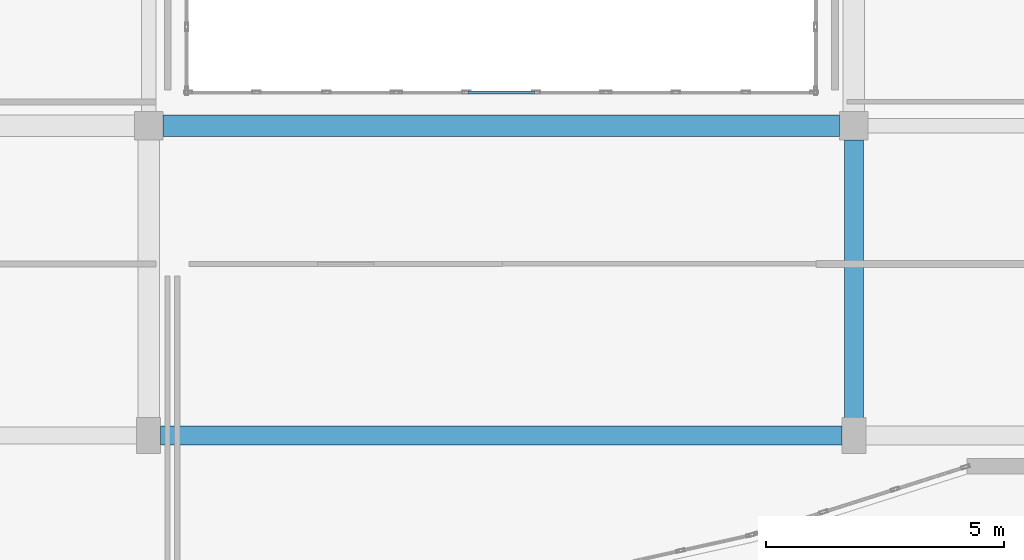
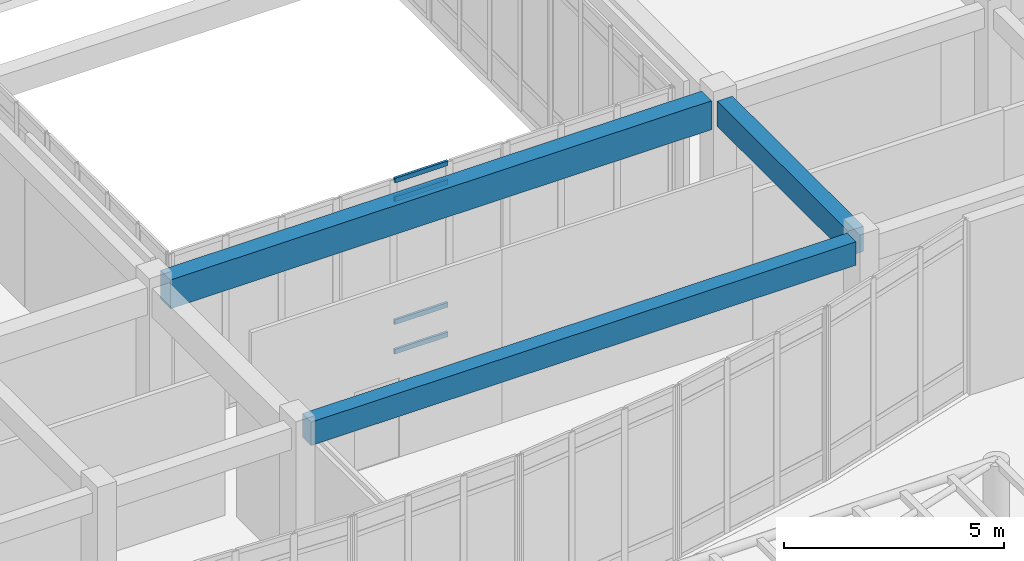
# One storey, part 60 of 121: 4 members, 3 beams, 1 element without a shape of its own.
"""IFC4 building model written with IfcOpenShell, lengths in metres."""

from ifc_helpers import new_model, si_unit, direction, frame, origin, origin_2d, place, context, subcontext, project, spatial, rectangle, hollow_rectangle, extrude, material, layer, layer_set, material_profile, profile_set, type_object, element, aggregate, save


model = new_model("IFC4")

# Units and contexts
model_context = context("Model", 3, precision=1e-05, world=origin(), true_north=direction((0.0, 1.0)))
body_context = subcontext(model_context, "Body", "Model", "MODEL_VIEW")
ifc_project = project(units=[si_unit("LENGTHUNIT", "METRE"), si_unit("AREAUNIT", "SQUARE_METRE"), si_unit("VOLUMEUNIT", "CUBIC_METRE"), si_unit("PLANEANGLEUNIT", "RADIAN"), si_unit("MASSUNIT", "GRAM", prefix="KILO")], contexts=[model_context])

# Site, building, storey
site_placement = place(None, origin())
site = spatial("IfcSite", under=ifc_project, at=site_placement, CompositionType="ELEMENT")
building_placement = place(site_placement, origin())
building = spatial("IfcBuilding", under=site, at=building_placement, Name="Valcora Specialist Clinic", CompositionType="ELEMENT")
storey_placement = place(building_placement, origin())
storey = spatial("IfcBuildingStorey", under=building, at=storey_placement, Name="L00", CompositionType="ELEMENT", Elevation=0.0)

# Beams
ifc_material_1 = material(Name="Concrete C40/50", Category="concrete")
ifc_material_profile_1 = material_profile(ifc_material_1, rectangle(XDim=0.39990234375, YDim=0.64990234375, at=origin_2d()), Name="RC-BM-400X650")
ifc_profile_set_1 = profile_set([ifc_material_profile_1], Name="Concrete C40/50")
beam_type_1 = type_object("IfcBeamType", Name="TY-BM-RC400X650", PredefinedType="BEAM", material=ifc_profile_set_1)
beam_1_placement = place(storey_placement, frame((111.449951171875, 74.800048828125, 4.485107421875), z_axis=(1.0, 0.0, 0.0), x_axis=(0.0, 1.0, 0.0)))
element("IfcBeam", 1, at=beam_1_placement, inside=storey, type_object=beam_type_1, Name="Beam BM-L00-0537", PredefinedType="BEAM", context=body_context, shape_type="SweptSolid", body=[
    extrude(rectangle(XDim=0.39990234375, YDim=0.64990234375, at=origin_2d()), origin(), (0.0, 0.0, 1.0), 14.300048828125),
])
ifc_material_profile_2 = material_profile(ifc_material_1, rectangle(XDim=0.39990234375, YDim=0.699951171875, at=origin_2d()), Name="RC-BM-400X700")
ifc_profile_set_2 = profile_set([ifc_material_profile_2], Name="Concrete C40/50")
beam_type_2 = type_object("IfcBeamType", Name="TY-BM-RC400X700", PredefinedType="BEAM", material=ifc_profile_set_2)
beam_2_placement = place(storey_placement, frame((126.0, 75.050048828125, 4.4599609375), z_axis=(0.0, 1.0, 0.0), x_axis=(-1.0, 0.0, 0.0)))
element("IfcBeam", 2, at=beam_2_placement, inside=storey, type_object=beam_type_2, Name="Beam BM-L00-0602", PredefinedType="BEAM", context=body_context, shape_type="SweptSolid", body=[
    extrude(rectangle(XDim=0.39990234375, YDim=0.699951171875, at=origin_2d()), origin(), (0.0, 0.0, 1.0), 5.949951171875),
])
ifc_material_profile_3 = material_profile(ifc_material_1, rectangle(XDim=0.449951171875, YDim=0.800048828125, at=origin_2d()), Name="RC-BM-450X800")
ifc_profile_set_3 = profile_set([ifc_material_profile_3], Name="Concrete C40/50")
beam_type_3 = type_object("IfcBeamType", Name="TY-BM-RC450X800", PredefinedType="BEAM", material=ifc_profile_set_3)
beam_3_placement = place(storey_placement, frame((111.5, 81.300048828125, 4.409912109375), z_axis=(1.0, 0.0, 0.0), x_axis=(0.0, 1.0, 0.0)))
element("IfcBeam", 3, at=beam_3_placement, inside=storey, type_object=beam_type_3, Name="Beam BM-L00-0546", PredefinedType="BEAM", context=body_context, shape_type="SweptSolid", body=[
    extrude(rectangle(XDim=0.449951171875, YDim=0.800048828125, at=origin_2d()), origin(), (0.0, 0.0, 1.0), 14.199951171875),
])

# Curtain wall, members
ifc_material_2 = material(Name="Anodized Bronze Aluminium 6063-T6", Category="aluminium")
ifc_layer = layer(ifc_material_2, 0.175048828125)
ifc_layer_set = layer_set([ifc_layer], Name="Anodized Bronze Aluminium 6063-T6")
curtain_wall_type = type_object("IfcCurtainWallType", Name="TY-CW-CRT15", PredefinedType="NOTDEFINED", material=ifc_layer_set)
curtain_wall_placement = place(storey_placement, origin())
curtain_wall = element("IfcCurtainWall", 4, at=curtain_wall_placement, inside=storey, type_object=curtain_wall_type, Name="Curtain wall CW-L00-042", PredefinedType="NOTDEFINED")
ifc_material_profile_4 = material_profile(ifc_material_2, hollow_rectangle(XDim=0.06494140625, YDim=0.1298828125, WallThickness=0.00390625, at=origin_2d()), Name="AL-TRN-65X130")
ifc_profile_set_4 = profile_set([ifc_material_profile_4], Name="Anodized Bronze Aluminium 6063-T6")
member_type = type_object("IfcMemberType", Name="TY-CWT-65X130", PredefinedType="USERDEFINED", material=ifc_profile_set_4)
member_1_placement = place(storey_placement, frame((117.899169921875, 82.0, 0.032470703125), z_axis=(1.0, 0.0, 0.0), x_axis=(0.0, 1.0, 0.0)))
member_1 = element("IfcMember", 5, at=member_1_placement, type_object=member_type, Name="CW-CRT-15 transom 2.1", ObjectType="TRANSOM", PredefinedType="USERDEFINED", context=body_context, shape_type="SweptSolid", body=[
    extrude(hollow_rectangle(XDim=0.06494140625, YDim=0.1298828125, WallThickness=0.00390625, at=origin_2d()), origin(), (0.0, 0.0, 1.0), 1.401611328125),
])
member_2_placement = place(storey_placement, frame((117.899169921875, 82.0, 0.85009765625), z_axis=(1.0, 0.0, 0.0), x_axis=(0.0, 1.0, 0.0)))
member_2 = element("IfcMember", 6, at=member_2_placement, type_object=member_type, Name="CW-CRT-15 transom 2.2", ObjectType="TRANSOM", PredefinedType="USERDEFINED", context=body_context, shape_type="SweptSolid", body=[
    extrude(hollow_rectangle(XDim=0.06494140625, YDim=0.1298828125, WallThickness=0.00390625, at=origin_2d()), origin(), (0.0, 0.0, 1.0), 1.401611328125),
])
member_3_placement = place(storey_placement, frame((117.899169921875, 82.0, 4.260009765625), z_axis=(1.0, 0.0, 0.0), x_axis=(0.0, 1.0, 0.0)))
member_3 = element("IfcMember", 7, at=member_3_placement, type_object=member_type, Name="CW-CRT-15 transom 2.3", ObjectType="TRANSOM", PredefinedType="USERDEFINED", context=body_context, shape_type="SweptSolid", body=[
    extrude(hollow_rectangle(XDim=0.06494140625, YDim=0.1298828125, WallThickness=0.00390625, at=origin_2d()), origin(), (0.0, 0.0, 1.0), 1.401611328125),
])
member_4_placement = place(storey_placement, frame((117.899169921875, 82.0, 4.777587890625), z_axis=(1.0, 0.0, 0.0), x_axis=(0.0, 1.0, 0.0)))
member_4 = element("IfcMember", 8, at=member_4_placement, type_object=member_type, Name="CW-CRT-15 transom 2.4", ObjectType="TRANSOM", PredefinedType="USERDEFINED", context=body_context, shape_type="SweptSolid", body=[
    extrude(hollow_rectangle(XDim=0.06494140625, YDim=0.1298828125, WallThickness=0.00390625, at=origin_2d()), origin(), (0.0, 0.0, 1.0), 1.401611328125),
])
aggregate(curtain_wall, [member_1, member_2, member_3, member_4])

save(model, "model.ifc")
